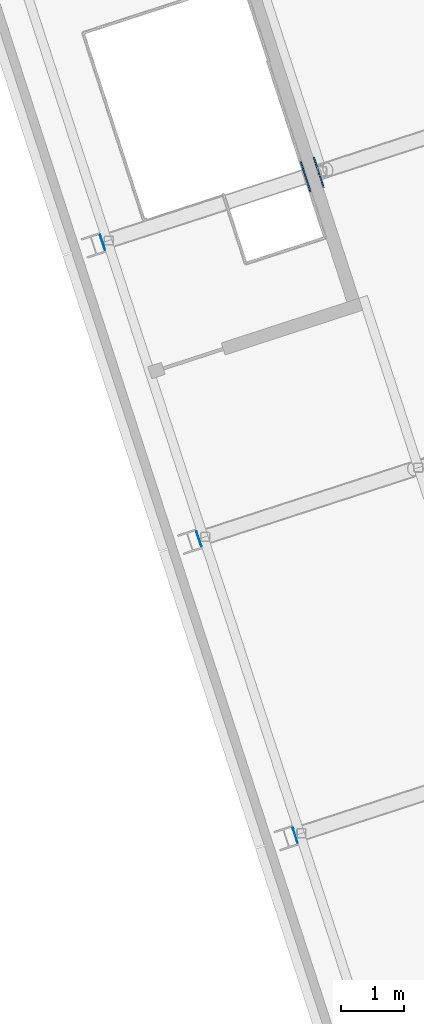
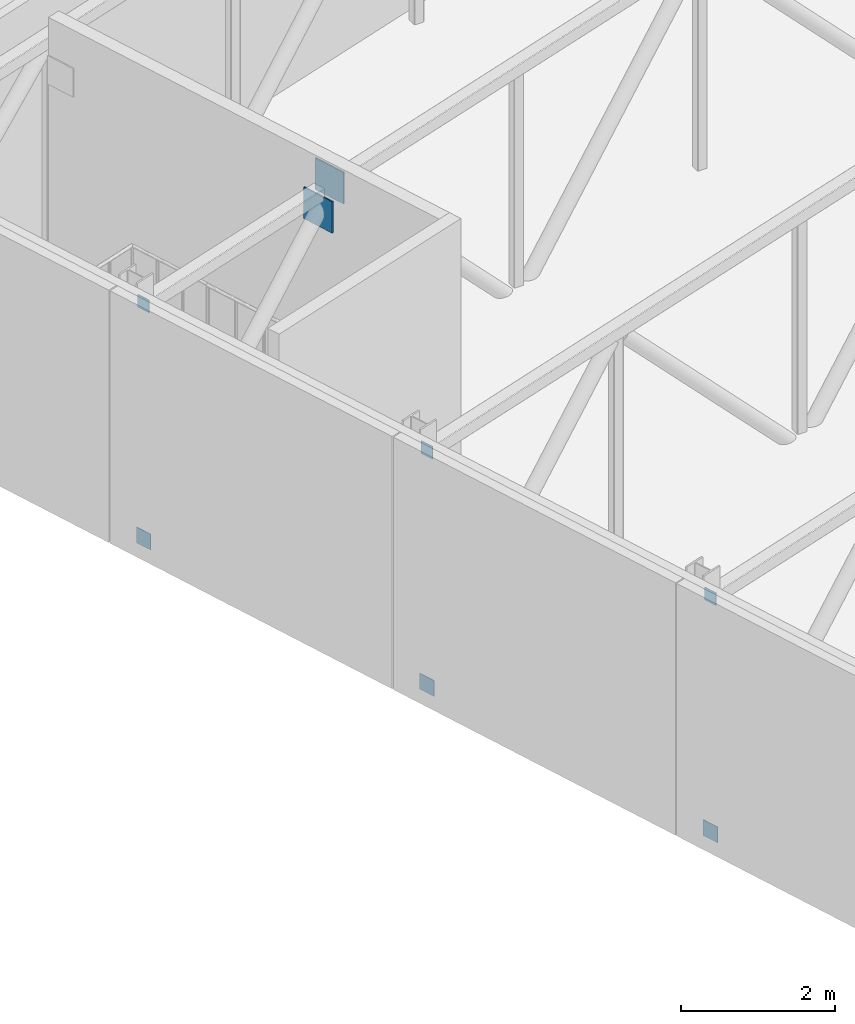
# One storey, part 42 of 52: 8 plates.
"""IFC4 building model written with IfcOpenShell, lengths in metres."""

from ifc_helpers import new_model, si_unit, direction, frame, origin, place, context, subcontext, project, spatial, polyline, outline, extrude, material, layer, layer_set, type_object, element, save


model = new_model("IFC4")

# Units and contexts
model_context = context("Model", 3, precision=1e-05, world=origin(), true_north=direction((0.0, 1.0)))
body_context = subcontext(model_context, "Body", "Model", "MODEL_VIEW")
ifc_project = project(units=[si_unit("LENGTHUNIT", "METRE"), si_unit("AREAUNIT", "SQUARE_METRE"), si_unit("VOLUMEUNIT", "CUBIC_METRE"), si_unit("PLANEANGLEUNIT", "RADIAN"), si_unit("MASSUNIT", "GRAM", prefix="KILO")], contexts=[model_context])

# Site, building, storey
site_placement = place(None, origin())
site = spatial("IfcSite", under=ifc_project, at=site_placement, CompositionType="ELEMENT")
building_placement = place(site_placement, origin())
building = spatial("IfcBuilding", under=site, at=building_placement, Name="Tuart Plaza Theatre", CompositionType="ELEMENT")
storey_placement = place(building_placement, frame((0.0, 0.0, 25.5)))
storey = spatial("IfcBuildingStorey", under=building, at=storey_placement, Name="L06", CompositionType="ELEMENT", Elevation=25.5)

# Plates
ifc_material_1 = material(Name="Steel Grade 300", Category="steel")
ifc_layer_1 = layer(ifc_material_1, 0.02001953125)
ifc_layer_set_1 = layer_set([ifc_layer_1], Name="PLATE Cast-in 20 Steel Grade 300")
plate_type_1 = type_object("IfcPlateType", Name="PLATE Cast-in 20 Steel Grade 300", PredefinedType="SHEET", material=ifc_layer_set_1)
plate_1_placement = place(storey_placement, frame((40.13134765625, 83.796142578125, 3.418212890625), z_axis=(-0.951001758265, -0.309185471485, 0.0), x_axis=(-0.309185471485, 0.951001758265, 0.0)))
element("IfcPlate", 1, at=plate_1_placement, inside=storey, type_object=plate_type_1, Name="CI11", PredefinedType="SHEET", context=body_context, shape_type="SweptSolid", body=[
    extrude(outline(polyline([(0.0, 0.0), (0.4998327213846251, 0.0), (0.4998327213846251, 0.5), (0.0, 0.5), (0.0, 0.0)])), origin(), (0.0, 0.0, -1.0), 0.02001953125),
])
plate_2_placement = place(storey_placement, frame((40.359619140625, 83.8701171875, 3.266845703125), z_axis=(0.951048418938, 0.309041914367, 0.0), x_axis=(-0.309041914367, 0.951048418938, 0.0)))
element("IfcPlate", 2, at=plate_2_placement, inside=storey, type_object=plate_type_1, Name="CI12", PredefinedType="SHEET", context=body_context, shape_type="SweptSolid", body=[
    extrude(outline(polyline([(0.0, 0.0), (0.5000649052454695, 0.0), (0.5000649052454695, 0.5), (0.0, 0.5), (0.0, 0.0)])), origin(), (0.0, 0.0, -1.0), 0.02001953125),
])
ifc_material_2 = material(Name="Steel Grade C350L0", Category="steel")
ifc_layer_2 = layer(ifc_material_2, 0.010009765625)
ifc_layer_set_2 = layer_set([ifc_layer_2], Name="PLATE End cap 10 Steel Grade C350L0")
plate_type_2 = type_object("IfcPlateType", Name="PLATE End cap 10 Steel Grade C350L0", PredefinedType="SHEET", material=ifc_layer_set_2)
plate_3_placement = place(storey_placement, frame((39.93310546875, 73.45361328125, -0.14990234375), z_axis=(-0.951191832008, -0.308600224758, 0.0), x_axis=(-0.308600224758, 0.951191832008, 0.0)))
element("IfcPlate", 3, at=plate_3_placement, inside=storey, type_object=plate_type_2, Name="EP1", PredefinedType="SHEET", context=body_context, shape_type="SweptSolid", body=[
    extrude(outline(polyline([(0.0, 0.0), (0.2499947547362342, 0.0), (0.2499947547362342, 0.25), (0.0, 0.25), (0.0, 0.0)])), origin(), (0.0, 0.0, -1.0), 0.010009765625),
])
plate_4_placement = place(storey_placement, frame((39.92529296875, 73.477294921875, 3.547119140625), z_axis=(-0.951096855055, -0.308892816854, 0.0), x_axis=(-0.308892816854, 0.951096855055, 0.0)))
element("IfcPlate", 4, at=plate_4_placement, inside=storey, type_object=plate_type_2, Name="EP3", PredefinedType="SHEET", context=body_context, shape_type="SweptSolid", body=[
    extrude(outline(polyline([(0.0, 0.0), (0.1999644367070575, 0.0), (0.1999644367070575, 0.20019531250000006), (0.0, 0.20019531250000006), (0.0, 0.0)])), origin(), (0.0, 0.0, -1.0), 0.010009765625),
])
plate_5_placement = place(storey_placement, frame((38.403564453125, 78.161376953125, -0.14990234375), z_axis=(-0.95090484413, -0.309483404096, 0.0), x_axis=(-0.309483404096, 0.95090484413, 0.0)))
element("IfcPlate", 5, at=plate_5_placement, inside=storey, type_object=plate_type_2, Name="EP5", PredefinedType="SHEET", context=body_context, shape_type="SweptSolid", body=[
    extrude(outline(polyline([(0.0, 0.0), (0.25007020441422584, 0.0), (0.25007020441422584, 0.25), (0.0, 0.25), (0.0, 0.0)])), origin(), (0.0, 0.0, -1.0), 0.010009765625),
])
plate_6_placement = place(storey_placement, frame((38.395751953125, 78.18505859375, 3.547119140625), z_axis=(-0.951096855055, -0.308892816854, 0.0), x_axis=(-0.308892816854, 0.951096855055, 0.0)))
element("IfcPlate", 6, at=plate_6_placement, inside=storey, type_object=plate_type_2, Name="EP7", PredefinedType="SHEET", context=body_context, shape_type="SweptSolid", body=[
    extrude(outline(polyline([(0.0, 0.0), (0.1999644367070575, 0.0), (0.1999644367070575, 0.20019531250000006), (0.0, 0.20019531250000006), (0.0, 0.0)])), origin(), (0.0, 0.0, -1.0), 0.010009765625),
])
plate_7_placement = place(storey_placement, frame((36.873779296875, 82.869140625, -0.14990234375), z_axis=(-0.951191832008, -0.308600224758, 0.0), x_axis=(-0.308600224758, 0.951191832008, 0.0)))
element("IfcPlate", 7, at=plate_7_placement, inside=storey, type_object=plate_type_2, Name="EP9", PredefinedType="SHEET", context=body_context, shape_type="SweptSolid", body=[
    extrude(outline(polyline([(0.0, 0.0), (0.2499947547362342, 0.0), (0.2499947547362342, 0.25), (0.0, 0.25), (0.0, 0.0)])), origin(), (0.0, 0.0, -1.0), 0.010009765625),
])
plate_8_placement = place(storey_placement, frame((36.8662109375, 82.892822265625, 3.547119140625), z_axis=(-0.950737659293, -0.309996618049, 0.0), x_axis=(-0.309996618049, 0.950737659293, 0.0)))
element("IfcPlate", 8, at=plate_8_placement, inside=storey, type_object=plate_type_2, Name="EP11", PredefinedType="SHEET", context=body_context, shape_type="SweptSolid", body=[
    extrude(outline(polyline([(0.0, 0.0), (0.2000399847592274, 0.0), (0.2000399847592274, 0.2001953125), (0.0, 0.2001953125), (0.0, 0.0)])), origin(), (0.0, 0.0, -1.0), 0.010009765625),
])

save(model, "model.ifc")
